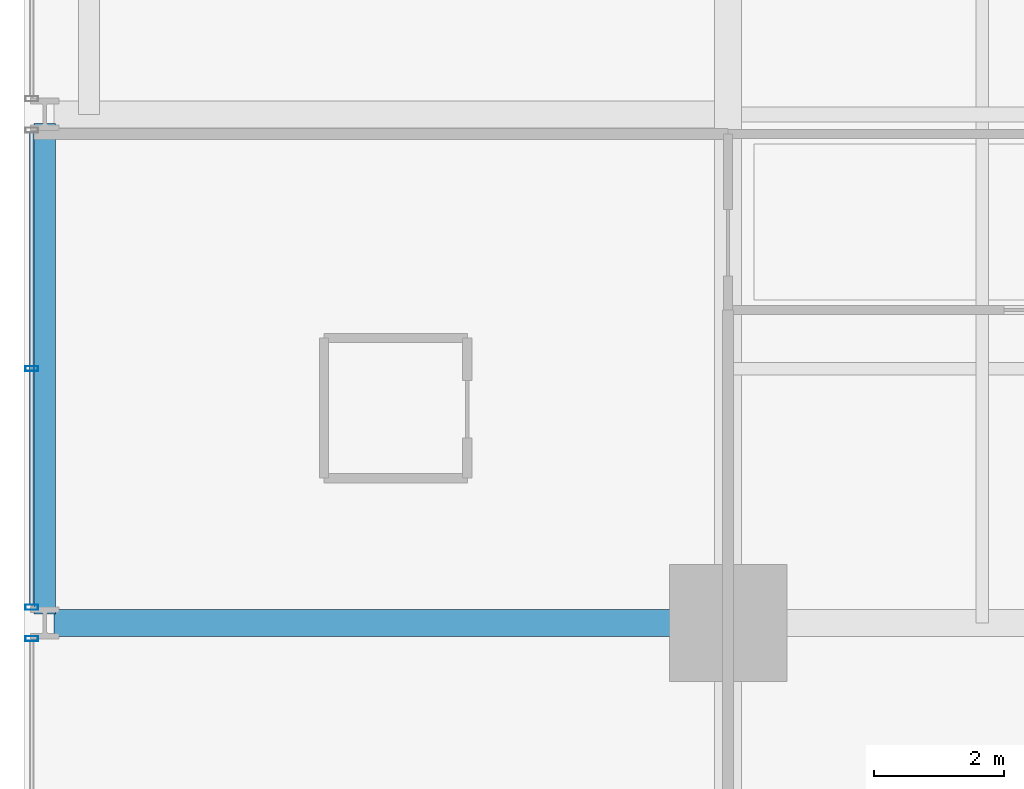
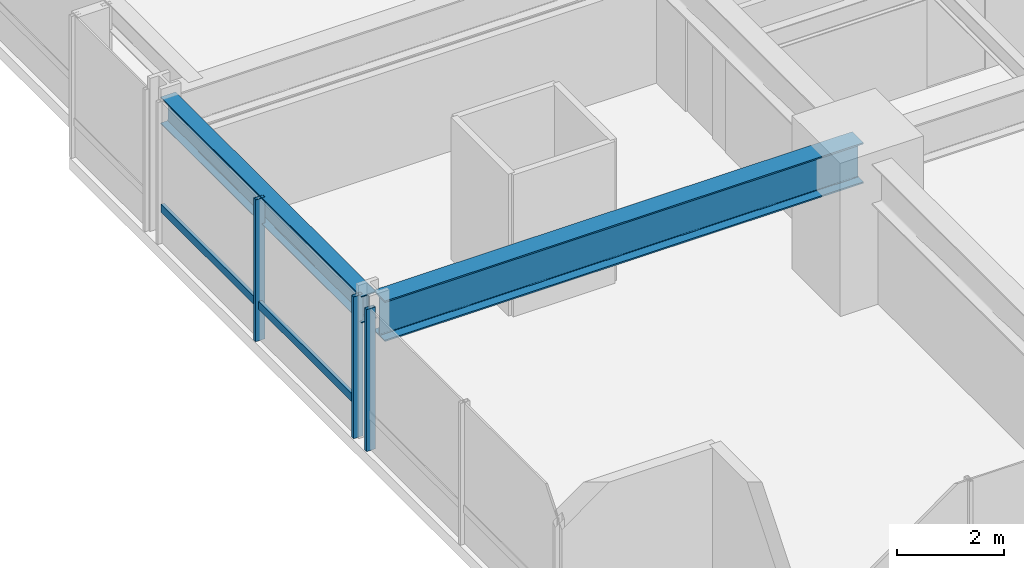
# One storey, part 4 of 38: 4 members, 2 beams, 2 elements without a shape of their own.
"""IFC4 building model written with IfcOpenShell, lengths in metres."""

import ifcopenshell
import ifcopenshell.guid

model = None  # the IFC model being written
_history = None  # IfcOwnerHistory: only IFC2X3 demands one
_inside = {}  # id of a spatial element -> (the spatial element, [elements in it])
_under = {}  # id of a project, library or spatial element -> (it, [spatial elements below it])
_declared = {}  # id of a project -> (the project, [libraries it declares])
_typed = {}  # id of a type object -> (the type object, [elements of that type])
_made_of = {}  # id of a material, layer set ... -> (it, [elements and type objects made of it])


def new_model(schema):
    """Start an empty IFC model of exactly this schema.

    Asked for "IFC4X3", IfcOpenShell would pick the latest addendum, in which some entities
    have other attributes; the version numbers below select the first issue.
    IFC2X3 requires an IfcOwnerHistory on every rooted entity: one is made here for all.
    """
    global model, _history
    if schema == "IFC4X3":
        model = ifcopenshell.file(schema_version=(4, 3, 0, 0))
    else:
        model = ifcopenshell.file(schema=schema)
    _inside.clear()
    _under.clear()
    _declared.clear()
    _typed.clear()
    _made_of.clear()
    _history = None
    if model.schema == "IFC2X3":
        org = make("IfcOrganization", Name="unknown")
        user = make(
            "IfcPersonAndOrganization",
            ThePerson=make("IfcPerson", FamilyName="unknown"),
            TheOrganization=org,
        )
        app = make(
            "IfcApplication",
            ApplicationDeveloper=org,
            Version="unknown",
            ApplicationFullName="unknown",
            ApplicationIdentifier="unknown",
        )
        _history = make(
            "IfcOwnerHistory",
            OwningUser=user,
            OwningApplication=app,
            ChangeAction="ADDED",
            CreationDate=0,
        )
    return model


def make(cls, **values):
    """One entity of the class cls with the attributes given. An attribute that is None is left unset."""
    return model.create_entity(
        cls, **{name: value for name, value in values.items() if value is not None}
    )


def rooted(cls, **values):
    """An entity with a GlobalId (a new one), such as an element, a storey or a relation."""
    return make(cls, GlobalId=ifcopenshell.guid.new(), OwnerHistory=_history, **values)


def si_unit(unit_type, name, prefix=None):
    """IfcSIUnit, for example si_unit("LENGTHUNIT", "METRE", prefix="MILLI")."""
    return make("IfcSIUnit", UnitType=unit_type, Prefix=prefix, Name=name)


def assignment(units):
    """IfcUnitAssignment: the units of a project."""
    return None if units is None else make("IfcUnitAssignment", Units=units)


def point(xyz):
    """IfcCartesianPoint."""
    return None if xyz is None else make("IfcCartesianPoint", Coordinates=xyz)


def direction(xyz):
    """IfcDirection."""
    return None if xyz is None else make("IfcDirection", DirectionRatios=xyz)


def frame(location, z_axis=None, x_axis=None):
    """IfcAxis2Placement3D, a coordinate frame: its origin and axes. An axis left out is left unset."""
    return make(
        "IfcAxis2Placement3D",
        Location=point(location),
        Axis=direction(z_axis),
        RefDirection=direction(x_axis),
    )


def frame_2d(location, x_axis=None):
    """IfcAxis2Placement2D, a coordinate frame in the plane: its origin and x axis."""
    return make(
        "IfcAxis2Placement2D", Location=point(location), RefDirection=direction(x_axis)
    )


def origin():
    """The frame at (0, 0, 0) with its axes left unset."""
    return frame((0.0, 0.0, 0.0))


def origin_2d():
    """The frame at (0, 0) in the plane with its x axis left unset."""
    return frame_2d((0.0, 0.0))


def place(relative_to, where):
    """IfcLocalPlacement: puts the frame where relative to a parent placement (None: the world)."""
    return make(
        "IfcLocalPlacement", PlacementRelTo=relative_to, RelativePlacement=where
    )


def context(
    kind, dimensions, precision=None, world=None, true_north=None, identifier=None
):
    """IfcGeometricRepresentationContext, for example the 3D "Model" context."""
    return make(
        "IfcGeometricRepresentationContext",
        ContextIdentifier=identifier,
        ContextType=kind,
        CoordinateSpaceDimension=dimensions,
        Precision=precision,
        WorldCoordinateSystem=world,
        TrueNorth=true_north,
    )


def subcontext(parent, identifier, kind, view, scale=None):
    """IfcGeometricRepresentationSubContext, for example "Body" below "Model"."""
    return make(
        "IfcGeometricRepresentationSubContext",
        ContextIdentifier=identifier,
        ContextType=kind,
        ParentContext=parent,
        TargetScale=scale,
        TargetView=view,
    )


def project(units=None, contexts=None):
    """IfcProject with its units and contexts."""
    return rooted(
        "IfcProject",
        Name="project",
        RepresentationContexts=contexts,
        UnitsInContext=assignment(units),
    )


def spatial(cls, under=None, at=None, **own):
    """A site, building, storey or space (cls), placed at a placement, below another one or the project."""
    s = rooted(cls, ObjectPlacement=at, **own)
    if under is not None:
        _under.setdefault(under.id(), (under, []))[1].append(s)
    return s


def profile(cls, at=None, kind="AREA", **sizes):
    """A parametric profile (cls). Its sizes go by their IFC names, for example OverallWidth=200.0."""
    return make(cls, ProfileType=kind, Position=at, **sizes)


def hollow_rectangle(**sizes):
    """IfcRectangleHollowProfileDef."""
    return profile("IfcRectangleHollowProfileDef", **sizes)


def i_section(**sizes):
    """IfcIShapeProfileDef."""
    return profile("IfcIShapeProfileDef", **sizes)


def extrude(swept, where, along, depth):
    """IfcExtrudedAreaSolid: the profile swept, set in the frame where, extruded along a direction by depth."""
    return make(
        "IfcExtrudedAreaSolid",
        SweptArea=swept,
        Position=where,
        ExtrudedDirection=direction(along),
        Depth=depth,
    )


def shape(context_of_items, identifier, shape_type, items):
    """IfcShapeRepresentation: the items that make up one representation, for example the "Body"."""
    return make(
        "IfcShapeRepresentation",
        ContextOfItems=context_of_items,
        RepresentationIdentifier=identifier,
        RepresentationType=shape_type,
        Items=items,
    )


def material(Name=None, Category=None):
    """IfcMaterial."""
    return make("IfcMaterial", Name=Name, Category=Category)


def layer(
    of_material, thickness, ventilated=None, Name=None, Category=None, Priority=None
):
    """IfcMaterialLayer: one layer of a wall or slab, of a material (None: an air gap)."""
    return make(
        "IfcMaterialLayer",
        Material=of_material,
        LayerThickness=thickness,
        IsVentilated=ventilated,
        Name=Name,
        Category=Category,
        Priority=Priority,
    )


def layer_set(layers, Name=None):
    """IfcMaterialLayerSet."""
    return make("IfcMaterialLayerSet", MaterialLayers=layers, LayerSetName=Name)


def material_profile(
    of_material, cross_section, Name=None, Category=None, Priority=None
):
    """IfcMaterialProfile: a cross section and its material."""
    return make(
        "IfcMaterialProfile",
        Name=Name,
        Material=of_material,
        Profile=cross_section,
        Priority=Priority,
        Category=Category,
    )


def profile_set(profiles, Name=None, composite=None):
    """IfcMaterialProfileSet."""
    return make(
        "IfcMaterialProfileSet",
        Name=Name,
        MaterialProfiles=profiles,
        CompositeProfile=composite,
    )


def made_of(thing, what):
    """Note that an element or type object is made of a material, layer set ...; save() writes the relation."""
    if what is not None:
        _made_of.setdefault(what.id(), (what, []))[1].append(thing)
    return thing


def type_object(cls, material=None, **own):
    """A type object (cls), such as IfcWallType, which elements share."""
    return made_of(rooted(cls, **own), material)


def element(
    cls,
    number,
    at=None,
    inside=None,
    cuts=None,
    type_object=None,
    material=None,
    context=None,
    identifier="Body",
    shape_type=None,
    held_by="IfcProductDefinitionShape",
    body=None,
    shapes=None,
    **own,
):
    """One element of the class cls, such as IfcWall. Its Tag is "e" and its number.

    at: its placement. inside: the storey or other place that contains it. cuts: it is an
    opening in that element (IfcRelVoidsElement). A single representation is given by context,
    identifier, shape_type and body (its items); several are given by shapes. held_by: the class
    of the entity that holds the representations. save() writes the other relations.
    """
    e = rooted(cls, Tag="e%d" % number, ObjectPlacement=at, **own)
    if body is not None:
        shapes = [shape(context, identifier, shape_type, body)]
    if shapes is not None:
        e.Representation = make(held_by, Representations=shapes)
    if inside is not None:
        _inside.setdefault(inside.id(), (inside, []))[1].append(e)
    if cuts is not None:
        rooted(
            "IfcRelVoidsElement", RelatingBuildingElement=cuts, RelatedOpeningElement=e
        )
    if type_object is not None:
        _typed.setdefault(type_object.id(), (type_object, []))[1].append(e)
    return made_of(e, material)


def aggregate(whole, parts):
    """IfcRelAggregates: a whole, such as a stair, and the parts it consists of."""
    return rooted("IfcRelAggregates", RelatingObject=whole, RelatedObjects=parts)


def save(model, path):
    """Write the relations noted so far, then the file.

    IfcRelAggregates (storeys below a building ...), IfcRelContainedInSpatialStructure (elements
    in a storey), IfcRelDefinesByType, IfcRelAssociatesMaterial and IfcRelDeclares: one each for
    every whole, place, type object, material and project.
    """
    for whole, parts in _under.values():
        aggregate(whole, parts)
    for where, things in _inside.values():
        rooted(
            "IfcRelContainedInSpatialStructure",
            RelatedElements=things,
            RelatingStructure=where,
        )
    for kind, things in _typed.values():
        rooted("IfcRelDefinesByType", RelatedObjects=things, RelatingType=kind)
    for what, things in _made_of.values():
        rooted("IfcRelAssociatesMaterial", RelatedObjects=things, RelatingMaterial=what)
    for by, libraries in _declared.values():
        rooted("IfcRelDeclares", RelatingContext=by, RelatedDefinitions=libraries)
    model.write(path)


model = new_model("IFC4")

# Units and contexts
model_context = context("Model", 3, precision=1e-05, world=origin(), true_north=direction((0.0, 1.0)))
body_context = subcontext(model_context, "Body", "Model", "MODEL_VIEW")
ifc_project = project(units=[si_unit("LENGTHUNIT", "METRE"), si_unit("AREAUNIT", "SQUARE_METRE"), si_unit("VOLUMEUNIT", "CUBIC_METRE"), si_unit("PLANEANGLEUNIT", "RADIAN"), si_unit("MASSUNIT", "GRAM", prefix="KILO")], contexts=[model_context])

# Site, building, storey
site_placement = place(None, origin())
site = spatial("IfcSite", under=ifc_project, at=site_placement, CompositionType="ELEMENT")
building_placement = place(site_placement, origin())
building = spatial("IfcBuilding", under=site, at=building_placement, Name="Drelvath Grand Hotel", CompositionType="ELEMENT")
storey_placement = place(building_placement, frame((0.0, 0.0, 47.199951171875)))
storey = spatial("IfcBuildingStorey", under=building, at=storey_placement, Name="L10", CompositionType="ELEMENT", Elevation=47.199951171875)

# Curtain wall, member
ifc_material_1 = material(Name="Warm Bronze Anodised Aluminium Frame", Category="aluminium")
ifc_layer = layer(ifc_material_1, 0.199951171875)
ifc_layer_set = layer_set([ifc_layer], Name="Warm Bronze Anodised Aluminium Frame")
curtain_wall_type = type_object("IfcCurtainWallType", Name="Stick Curtain Wall CW-02 Warm Bronze Low-Rise", PredefinedType="NOTDEFINED", material=ifc_layer_set)
curtain_wall_1_placement = place(storey_placement, origin())
curtain_wall_1 = element("IfcCurtainWall", 1, at=curtain_wall_1_placement, inside=storey, type_object=curtain_wall_type, Name="L10 CW-02 Curtain Wall CW02-L10-WS2", PredefinedType="NOTDEFINED")
ifc_material_profile_1 = material_profile(ifc_material_1, hollow_rectangle(XDim=0.074951171875, YDim=0.179931640625, WallThickness=0.0048828125, at=origin_2d()), Name="HSS180X75X5")
ifc_profile_set_1 = profile_set([ifc_material_profile_1], Name="Warm Bronze Anodised Aluminium Frame")
member_type_1 = type_object("IfcMemberType", Name="Curtain Wall Horizontal Transom CW-02 HSS180X75X5", PredefinedType="USERDEFINED", material=ifc_profile_set_1)
member_1_placement = place(storey_placement, frame((-26.8798828125, 11.080810546875, 0.81005859375), z_axis=(0.0, 1.0, 0.0), x_axis=(-1.0, 0.0, 0.0)))
member_1 = element("IfcMember", 2, at=member_1_placement, type_object=member_type_1, Name="CW02-L10-WS2 Sill Transom", ObjectType="TRANSOM", PredefinedType="USERDEFINED", context=body_context, shape_type="SweptSolid", body=[
    extrude(hollow_rectangle(XDim=0.074951171875, YDim=0.179931640625, WallThickness=0.0048828125, at=origin_2d()), origin(), (0.0, 0.0, 1.0), 7.23828125),
])

curtain_wall_2_placement = place(storey_placement, origin())
curtain_wall_2 = element("IfcCurtainWall", 3, at=curtain_wall_2_placement, inside=storey, type_object=curtain_wall_type, Name="L10 CW-02 Curtain Wall CW02-L10-WS1", PredefinedType="NOTDEFINED")
ifc_material_profile_2 = material_profile(ifc_material_1, hollow_rectangle(XDim=0.080078125, YDim=0.199951171875, WallThickness=0.0048828125, at=origin_2d()), Name="HSS200X80X5")
ifc_profile_set_2 = profile_set([ifc_material_profile_2], Name="Warm Bronze Anodised Aluminium Frame")
member_type_2 = type_object("IfcMemberType", Name="Curtain Wall Vertical Mullion CW-02 HSS200X80X5", PredefinedType="MULLION", material=ifc_profile_set_2)
member_2_placement = place(storey_placement, frame((-26.8798828125, 10.55908203125, 0.0), z_axis=(0.0, 0.0, 1.0), x_axis=(0.0, 1.0, 0.0)))
member_2 = element("IfcMember", 4, at=member_2_placement, type_object=member_type_2, Name="CW02-L10-WS1 Mullion 3", PredefinedType="MULLION", context=body_context, shape_type="SweptSolid", body=[
    extrude(hollow_rectangle(XDim=0.080078125, YDim=0.199951171875, WallThickness=0.0048828125, at=origin_2d()), origin(), (0.0, 0.0, 1.0), 3.239990234375),
])
aggregate(curtain_wall_2, [member_2])

# Member
member_3_placement = place(storey_placement, frame((-26.8798828125, 11.041015625, 0.0), z_axis=(0.0, 0.0, 1.0), x_axis=(0.0, 1.0, 0.0)))
member_3 = element("IfcMember", 5, at=member_3_placement, type_object=member_type_2, Name="CW02-L10-WS2 Mullion 1", PredefinedType="MULLION", context=body_context, shape_type="SweptSolid", body=[
    extrude(hollow_rectangle(XDim=0.080078125, YDim=0.199951171875, WallThickness=0.0048828125, at=origin_2d()), origin(), (0.0, 0.0, 1.0), 3.239990234375),
])

member_4_placement = place(storey_placement, frame((-26.8798828125, 14.699951171875, 0.0), z_axis=(0.0, 0.0, 1.0), x_axis=(0.0, 1.0, 0.0)))
member_4 = element("IfcMember", 6, at=member_4_placement, type_object=member_type_2, Name="CW02-L10-WS2 Mullion 2", PredefinedType="MULLION", context=body_context, shape_type="SweptSolid", body=[
    extrude(hollow_rectangle(XDim=0.080078125, YDim=0.199951171875, WallThickness=0.0048828125, at=origin_2d()), origin(), (0.0, 0.0, 1.0), 3.239990234375),
])

aggregate(curtain_wall_1, [member_3, member_4, member_1])

# Beams
ifc_material_2 = material(Name="Steel ASTM A992 Gr 50", Category="steel")
ifc_material_profile_3 = material_profile(ifc_material_2, i_section(OverallWidth=0.323974609375, OverallDepth=0.611083984375, WebThickness=0.0126953125, FlangeThickness=0.01904296875, FilletRadius=0.02197265625, at=origin_2d()), Name="W24X104")
ifc_profile_set_3 = profile_set([ifc_material_profile_3], Name="Steel ASTM A992 Gr 50")
beam_type_1 = type_object("IfcBeamType", Name="Perimeter Spandrel Beam W24X104", PredefinedType="SPANDREL", material=ifc_profile_set_3)
beam_1_placement = place(storey_placement, frame((-26.679931640625, 10.93994140625, 2.9345703125), z_axis=(0.0, 1.0, 0.0), x_axis=(-1.0, 0.0, 0.0)))
element("IfcBeam", 7, at=beam_1_placement, inside=storey, type_object=beam_type_1, Name="L10 Spandrel West S", PredefinedType="SPANDREL", context=body_context, shape_type="SweptSolid", body=[
    extrude(i_section(OverallWidth=0.323974609375, OverallDepth=0.611083984375, WebThickness=0.0126953125, FlangeThickness=0.01904296875, FilletRadius=0.02197265625, at=origin_2d()), origin(), (0.0, 0.0, 1.0), 7.52001953125),
])
ifc_material_profile_4 = material_profile(ifc_material_2, i_section(OverallWidth=0.418212890625, OverallDepth=0.926513671875, WebThickness=0.019287109375, FlangeThickness=0.031982421875, FilletRadius=0.028076171875, at=origin_2d()), Name="W36X231")
ifc_profile_set_4 = profile_set([ifc_material_profile_4], Name="Steel ASTM A992 Gr 50")
beam_type_2 = type_object("IfcBeamType", Name="Primary Floor Girder W36X231", PredefinedType="BEAM", material=ifc_profile_set_4)
beam_2_placement = place(storey_placement, frame((-26.5400390625, 10.800048828125, 2.77685546875), z_axis=(1.0, 0.0, 0.0), x_axis=(0.0, 1.0, 0.0)))
element("IfcBeam", 8, at=beam_2_placement, inside=storey, type_object=beam_type_2, Name="L10 West Grid Girder C", PredefinedType="BEAM", context=body_context, shape_type="SweptSolid", body=[
    extrude(i_section(OverallWidth=0.418212890625, OverallDepth=0.926513671875, WebThickness=0.019287109375, FlangeThickness=0.031982421875, FilletRadius=0.028076171875, at=origin_2d()), origin(), (0.0, 0.0, 1.0), 10.340087890625),
])

save(model, "model.ifc")
